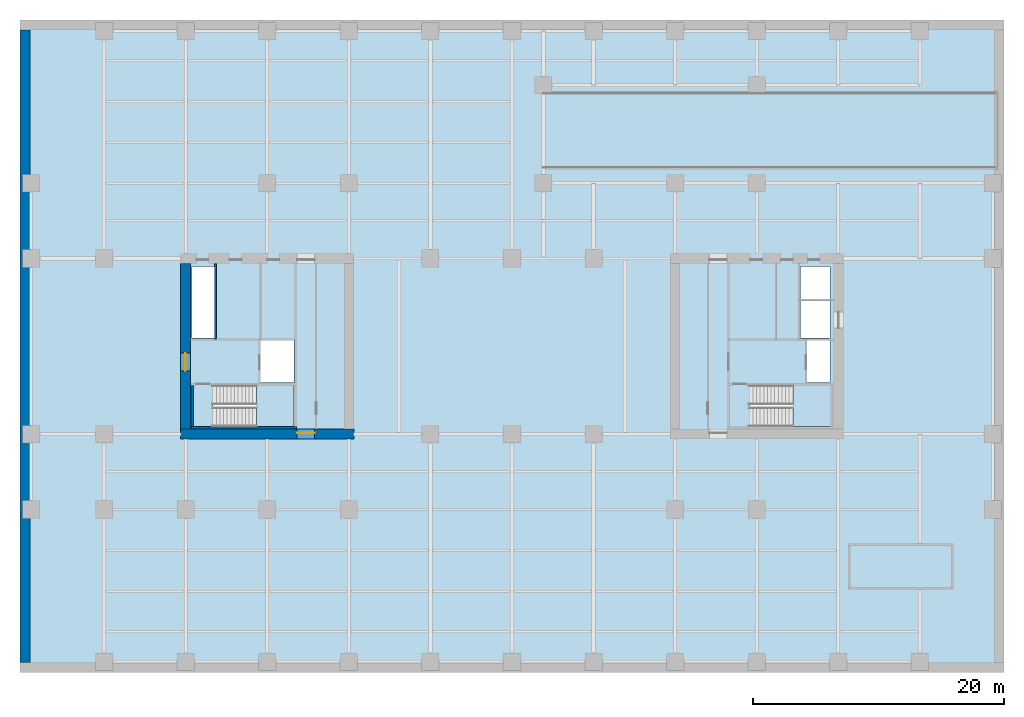
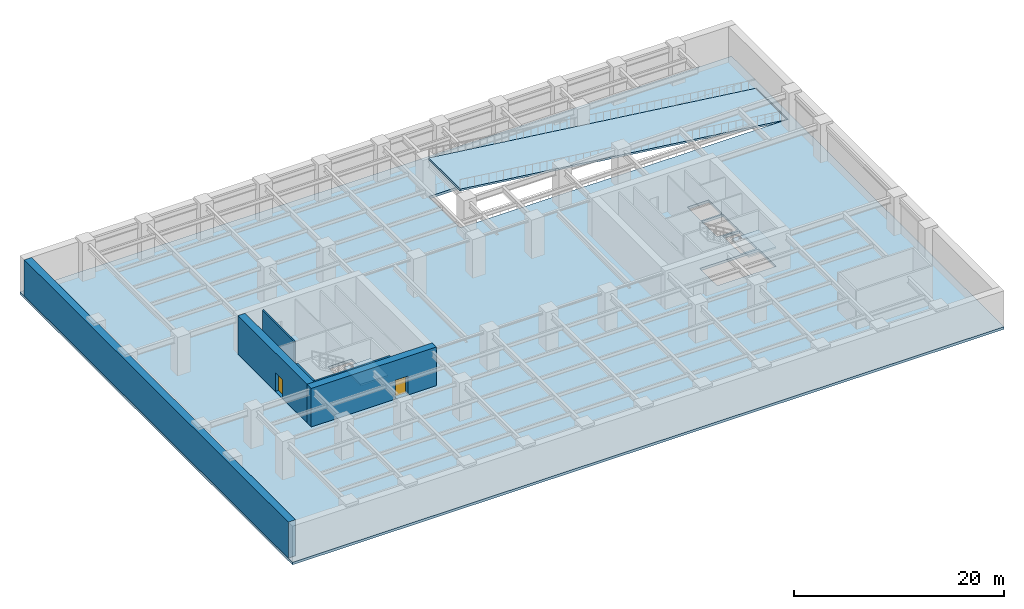
# One storey, part 3 of 10: 6 walls, 4 slabs, 2 doors, 2 openings, 2 elements without a shape of their own.
"""IFC4 building model written with IfcOpenShell, lengths in metres."""

from ifc_helpers import new_model, si_unit, direction, frame, frame_2d, origin, place, context, subcontext, project, spatial, polyline, rectangle, outline, extrude, material, layer, layer_set, type_object, element, fill, aggregate, save


model = new_model("IFC4")

# Units and contexts
model_context = context("Model", 3, precision=1e-05, world=origin(), true_north=direction((0.0, 1.0)))
body_context = subcontext(model_context, "Body", "Model", "MODEL_VIEW")
ifc_project = project(units=[si_unit("LENGTHUNIT", "METRE"), si_unit("AREAUNIT", "SQUARE_METRE"), si_unit("VOLUMEUNIT", "CUBIC_METRE"), si_unit("PLANEANGLEUNIT", "RADIAN"), si_unit("MASSUNIT", "GRAM", prefix="KILO")], contexts=[model_context])

# Site, building, storey
site_placement = place(None, origin())
site = spatial("IfcSite", under=ifc_project, at=site_placement, CompositionType="ELEMENT")
building_placement = place(site_placement, origin())
building = spatial("IfcBuilding", under=site, at=building_placement, Name="Putna Gate Headquarters", CompositionType="ELEMENT")
storey_placement = place(building_placement, frame((0.0, 0.0, -9.0)))
storey = spatial("IfcBuildingStorey", under=building, at=storey_placement, Name="B02", CompositionType="ELEMENT", Elevation=-9.0)

# Stair, slab
ifc_material_1 = material(Name="Concrete C40/50", Category="concrete")
stair_type_1 = type_object("IfcStairType", Name="STAIR-ST1", PredefinedType="HALF_TURN_STAIR", material=ifc_material_1)
stair_1_placement = place(storey_placement, origin())
stair_1 = element("IfcStair", 1, at=stair_1_placement, inside=storey, type_object=stair_type_1, Name="B02 West Core Exit Stair ST1", PredefinedType="HALF_TURN_STAIR")
ifc_layer_1 = layer(ifc_material_1, 0.199951171875)
ifc_layer_set_1 = layer_set([ifc_layer_1], Name="Concrete C40/50")
slab_type_1 = type_object("IfcSlabType", Name="LANDING-ST1", PredefinedType="LANDING", material=ifc_layer_set_1)
slab_1_placement = place(storey_placement, frame((0.0, 0.0, 2.050048828125)))
slab_1 = element("IfcSlab", 2, at=slab_1_placement, type_object=slab_type_1, Name="ST1 landing 1", PredefinedType="LANDING", context=body_context, shape_type="SweptSolid", body=[
    extrude(outline(polyline([(18.6298828125, 19.60009765625), (21.64990234375, 19.60009765625), (21.64990234375, 22.89990234375), (18.6298828125, 22.89990234375), (18.6298828125, 19.60009765625)])), origin(), (0.0, 0.0, 1.0), 0.199951171875),
])
aggregate(stair_1, [slab_1])

stair_type_2 = type_object("IfcStairType", Name="STAIR-ST2", PredefinedType="HALF_TURN_STAIR", material=ifc_material_1)
stair_2_placement = place(storey_placement, origin())
stair_2 = element("IfcStair", 3, at=stair_2_placement, inside=storey, type_object=stair_type_2, Name="B02 East Core Exit Stair ST2", PredefinedType="HALF_TURN_STAIR")
ifc_layer_2 = layer(ifc_material_1, 0.199951171875)
ifc_layer_set_2 = layer_set([ifc_layer_2], Name="Concrete C40/50")
slab_type_2 = type_object("IfcSlabType", Name="LANDING-ST2", PredefinedType="LANDING", material=ifc_layer_set_2)
slab_2_placement = place(storey_placement, frame((0.0, 0.0, 2.050048828125)))
slab_2 = element("IfcSlab", 4, at=slab_2_placement, type_object=slab_type_2, Name="ST2 landing 1", PredefinedType="LANDING", context=body_context, shape_type="SweptSolid", body=[
    extrude(outline(polyline([(61.3798828125, 19.60009765625), (64.39990234375, 19.60009765625), (64.39990234375, 22.89990234375), (61.3798828125, 22.89990234375), (61.3798828125, 19.60009765625)])), origin(), (0.0, 0.0, 1.0), 0.199951171875),
])
aggregate(stair_2, [slab_2])

# Slabs
ifc_layer_3 = layer(ifc_material_1, 0.300048828125)
ifc_layer_set_3 = layer_set([ifc_layer_3], Name="Concrete C40/50")
slab_type_3 = type_object("IfcSlabType", Name="SLAB-BASE-300", PredefinedType="FLOOR", material=ifc_layer_set_3)
slab_3_placement = place(storey_placement, frame((0.0, 0.0, -0.300048828125)))
element("IfcSlab", 5, at=slab_3_placement, inside=storey, type_object=slab_type_3, Name="B02 Composite Floor Slab", PredefinedType="FLOOR", context=body_context, shape_type="SweptSolid", body=[
    extrude(outline(polyline([(-0.199951171875, 0.0), (78.199951171875, 0.0), (78.199951171875, 52.0), (-0.199951171875, 52.0), (-0.199951171875, 0.0)]), holes=[polyline([(15.1650390625, 19.60009765625), (21.64990234375, 19.60009765625), (21.64990234375, 22.89990234375), (15.1650390625, 22.89990234375), (15.1650390625, 19.60009765625)]), polyline([(57.9150390625, 19.60009765625), (64.39990234375, 19.60009765625), (64.39990234375, 22.89990234375), (57.9150390625, 22.89990234375), (57.9150390625, 19.60009765625)]), polyline([(41.5, 40.199951171875), (77.60009765625, 40.199951171875), (77.60009765625, 46.199951171875), (41.5, 46.199951171875), (41.5, 40.199951171875)]), polyline([(13.52001953125, 26.659912109375), (15.280029296875, 26.659912109375), (15.280029296875, 32.35009765625), (13.52001953125, 32.35009765625), (13.52001953125, 26.659912109375)]), polyline([(61.969970703125, 29.780029296875), (64.35009765625, 29.780029296875), (64.35009765625, 32.35009765625), (61.969970703125, 32.35009765625), (61.969970703125, 29.780029296875)]), polyline([(18.97998046875, 23.1201171875), (21.6201171875, 23.1201171875), (21.6201171875, 26.4599609375), (18.97998046875, 26.4599609375), (18.97998046875, 23.1201171875)]), polyline([(62.52001953125, 23.1201171875), (64.35009765625, 23.1201171875), (64.35009765625, 26.4599609375), (62.52001953125, 26.4599609375), (62.52001953125, 23.1201171875)]), polyline([(61.969970703125, 26.659912109375), (64.35009765625, 26.659912109375), (64.35009765625, 29.6201171875), (61.969970703125, 29.6201171875), (61.969970703125, 26.659912109375)])]), origin(), (0.0, 0.0, 1.0), 0.300048828125),
])
ifc_layer_4 = layer(ifc_material_1, 0.219970703125)
ifc_layer_set_4 = layer_set([ifc_layer_4], Name="Concrete C40/50")
slab_type_4 = type_object("IfcSlabType", Name="SLAB-VRAMP-220", PredefinedType="FLOOR", material=ifc_layer_set_4)
slab_4_placement = place(storey_placement, frame((41.5, 40.199951171875, 4.5), z_axis=(0.124034734589, 0.0, 0.992277876714), x_axis=(0.992277876714, 0.0, -0.124034734589)))
element("IfcSlab", 6, at=slab_4_placement, inside=storey, type_object=slab_type_4, Name="Car park structural vehicle ramp slab B02 to B01", PredefinedType="FLOOR", context=body_context, shape_type="SweptSolid", body=[
    extrude(outline(polyline([(0.0, 0.0), (36.28015986734348, 0.0), (36.28015986734348, 6.000000000000002), (0.0, 6.000000000000002), (0.0, 0.0)])), origin(), (0.0, 0.0, -1.0), 0.219970703125),
])

# Wall, opening, door
ifc_material_2 = material(Name="Concrete C60/75", Category="concrete")
ifc_layer_5 = layer(ifc_material_2, 0.800048828125)
ifc_layer_set_5 = layer_set([ifc_layer_5], Name="Concrete C60/75")
wall_type_1 = type_object("IfcWallType", Name="WALL-CORE-800", PredefinedType="SHEAR", material=ifc_layer_set_5)
wall_1_placement = place(storey_placement, frame((12.60009765625, 19.0, 0.0), z_axis=(0.0, 0.0, 1.0), x_axis=(1.0, 0.0, 0.0)))
wall_1 = element("IfcWall", 7, at=wall_1_placement, inside=storey, type_object=wall_type_1, Name="B02 WC Split Core Shear Wall S", PredefinedType="SHEAR", context=body_context, shape_type="SweptSolid", body=[
    extrude(rectangle(XDim=13.7998046875, YDim=0.800048828125, at=frame_2d((6.89990234375, 0.0))), origin(), (0.0, 0.0, 1.0), 4.5),
])
opening_1_placement = place(wall_1_placement, frame((9.280029296875, 0.0, 0.0)))
opening_1 = element("IfcOpeningElement", 8, at=opening_1_placement, cuts=wall_1, Name="Opening FDD-140", PredefinedType="OPENING", context=body_context, shape_type="SweptSolid", body=[
    extrude(rectangle(XDim=1.39990234375, YDim=2.199951171875, at=frame_2d((0.699951171875, 1.10009765625))), frame((0.0, 0.409912109375, 0.0), z_axis=(0.0, -1.0, 0.0), x_axis=(1.0, 0.0, 0.0)), (0.0, 0.0, 1.0), 0.820068359375),
])
ifc_material_3 = material(Name="Double steel fire door", Category="steel")
door_type = type_object("IfcDoorType", Name="DOOR-FIRE-DBL-1400", OperationType="DOUBLE_DOOR_SINGLE_SWING", PredefinedType="DOOR", material=ifc_material_3)
door_1_placement = place(opening_1_placement, origin())
door_1 = element("IfcDoor", 9, at=door_1_placement, inside=storey, type_object=door_type, Name="B02 West Lift Lobby South Door", OperationType="DOUBLE_DOOR_SINGLE_SWING", OverallHeight=2.199951171875, OverallWidth=1.39990234375, PredefinedType="DOOR", context=body_context, shape_type="SweptSolid", body=[
    extrude(rectangle(XDim=1.39990234375, YDim=2.199951171875, at=frame_2d((0.699951171875, 1.10009765625))), frame((0.0, 0.125, 0.0), z_axis=(0.0, -1.0, 0.0), x_axis=(1.0, 0.0, 0.0)), (0.0, 0.0, 1.0), 0.050048828125),
])
fill(opening_1, door_1)

wall_2_placement = place(storey_placement, frame((13.0, 19.39990234375, 0.0), z_axis=(0.0, 0.0, 1.0), x_axis=(0.0, 1.0, 0.0)))
wall_2 = element("IfcWall", 10, at=wall_2_placement, inside=storey, type_object=wall_type_1, Name="B02 WC Split Core Shear Wall W", PredefinedType="SHEAR", context=body_context, shape_type="SweptSolid", body=[
    extrude(rectangle(XDim=13.2001953125, YDim=0.800048828125, at=frame_2d((6.60009765625, 0.0))), origin(), (0.0, 0.0, 1.0), 4.5),
])
opening_2_placement = place(wall_2_placement, frame((4.64990234375, 0.0, 0.0)))
opening_2 = element("IfcOpeningElement", 11, at=opening_2_placement, cuts=wall_2, Name="Opening FDD-140", PredefinedType="OPENING", context=body_context, shape_type="SweptSolid", body=[
    extrude(rectangle(XDim=1.39990234375, YDim=2.199951171875, at=frame_2d((0.699951171875, 1.10009765625))), frame((0.0, 0.409912109375, 0.0), z_axis=(0.0, -1.0, 0.0), x_axis=(1.0, 0.0, 0.0)), (0.0, 0.0, 1.0), 0.820068359375),
])
door_2_placement = place(opening_2_placement, origin())
door_2 = element("IfcDoor", 12, at=door_2_placement, inside=storey, type_object=door_type, Name="B02 West Firefighting Lobby Door", OperationType="DOUBLE_DOOR_SINGLE_SWING", OverallHeight=2.199951171875, OverallWidth=1.39990234375, PredefinedType="DOOR", context=body_context, shape_type="SweptSolid", body=[
    extrude(rectangle(XDim=1.39990234375, YDim=2.199951171875, at=frame_2d((0.699951171875, 1.10009765625))), frame((0.0, 0.02490234375, 0.0), z_axis=(0.0, -1.0, 0.0), x_axis=(1.0, 0.0, 0.0)), (0.0, 0.0, 1.0), 0.050048828125),
])
fill(opening_2, door_2)

# Walls
ifc_layer_6 = layer(ifc_material_1, 0.800048828125)
ifc_layer_set_6 = layer_set([ifc_layer_6], Name="Concrete C40/50")
wall_type_2 = type_object("IfcWallType", Name="WALL-RET-800", PredefinedType="USERDEFINED", material=ifc_layer_set_6)
wall_3_placement = place(storey_placement, frame((0.199951171875, 51.199951171875, 0.0), z_axis=(0.0, 0.0, 1.0), x_axis=(0.0, -1.0, 0.0)))
element("IfcWall", 13, at=wall_3_placement, inside=storey, type_object=wall_type_2, Name="B02 Basement Retaining Wall W", ObjectType="RETAININGWALL", PredefinedType="USERDEFINED", context=body_context, shape_type="SweptSolid", body=[
    extrude(rectangle(XDim=50.39990234375, YDim=0.800048828125, at=frame_2d((25.199951171875, 0.0))), origin(), (0.0, 0.0, 1.0), 4.199951171875),
])
ifc_layer_7 = layer(ifc_material_1, 0.159912109375)
ifc_layer_set_7 = layer_set([ifc_layer_7], Name="Concrete C40/50")
wall_type_3 = type_object("IfcWallType", Name="WALL-SHAFT-160", PredefinedType="STANDARD", material=ifc_layer_set_7)
wall_4_placement = place(storey_placement, frame((15.3798828125, 26.56005859375, 0.0), z_axis=(0.0, 0.0, 1.0), x_axis=(0.0, 1.0, 0.0)))
element("IfcWall", 14, at=wall_4_placement, inside=storey, type_object=wall_type_3, Name="B02 Interior Wall CWINT-B02-WC-RISER-E", PredefinedType="STANDARD", context=body_context, shape_type="SweptSolid", body=[
    extrude(rectangle(XDim=6.0400390625, YDim=0.159912109375, at=frame_2d((3.02001953125, 0.0))), origin(), (0.0, 0.0, 1.0), 4.199951171875),
])
ifc_layer_8 = layer(ifc_material_1, 0.199951171875)
ifc_layer_set_8 = layer_set([ifc_layer_8], Name="Concrete C40/50")
wall_type_4 = type_object("IfcWallType", Name="WALL-SHAFT-RC200", PredefinedType="SHEAR", material=ifc_layer_set_8)
wall_5_placement = place(storey_placement, frame((13.409912109375, 19.510009765625, 0.0), z_axis=(0.0, 0.0, 1.0), x_axis=(1.0, 0.0, 0.0)))
element("IfcWall", 15, at=wall_5_placement, inside=storey, type_object=wall_type_4, Name="B02 Stair ST1 Structural Shaft Wall S", PredefinedType="SHEAR", context=body_context, shape_type="SweptSolid", body=[
    extrude(rectangle(XDim=8.43017578125, YDim=0.199951171875, at=frame_2d((4.215087890625, 0.0))), origin(), (0.0, 0.0, 1.0), 4.5),
])
wall_6_placement = place(storey_placement, frame((13.510009765625, 19.610107421875, 0.0), z_axis=(0.0, 0.0, 1.0), x_axis=(0.0, 1.0, 0.0)))
element("IfcWall", 16, at=wall_6_placement, inside=storey, type_object=wall_type_4, Name="B02 Stair ST1 Structural Shaft Wall W", PredefinedType="SHEAR", context=body_context, shape_type="SweptSolid", body=[
    extrude(rectangle(XDim=3.27978515625, YDim=0.199951171875, at=frame_2d((1.639892578125, 0.0))), origin(), (0.0, 0.0, 1.0), 4.5),
])

save(model, "model.ifc")
